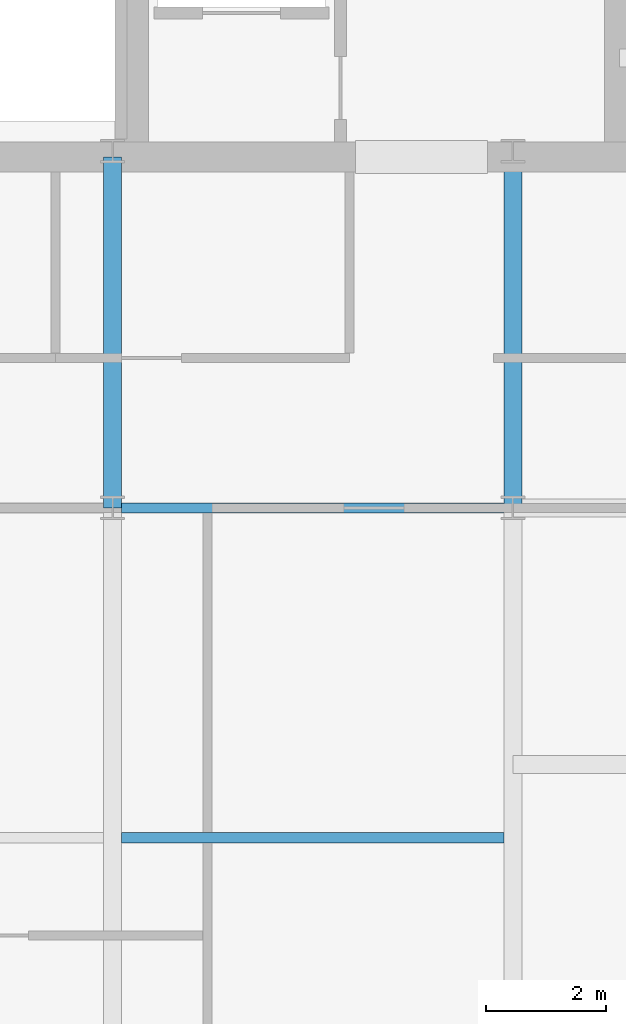
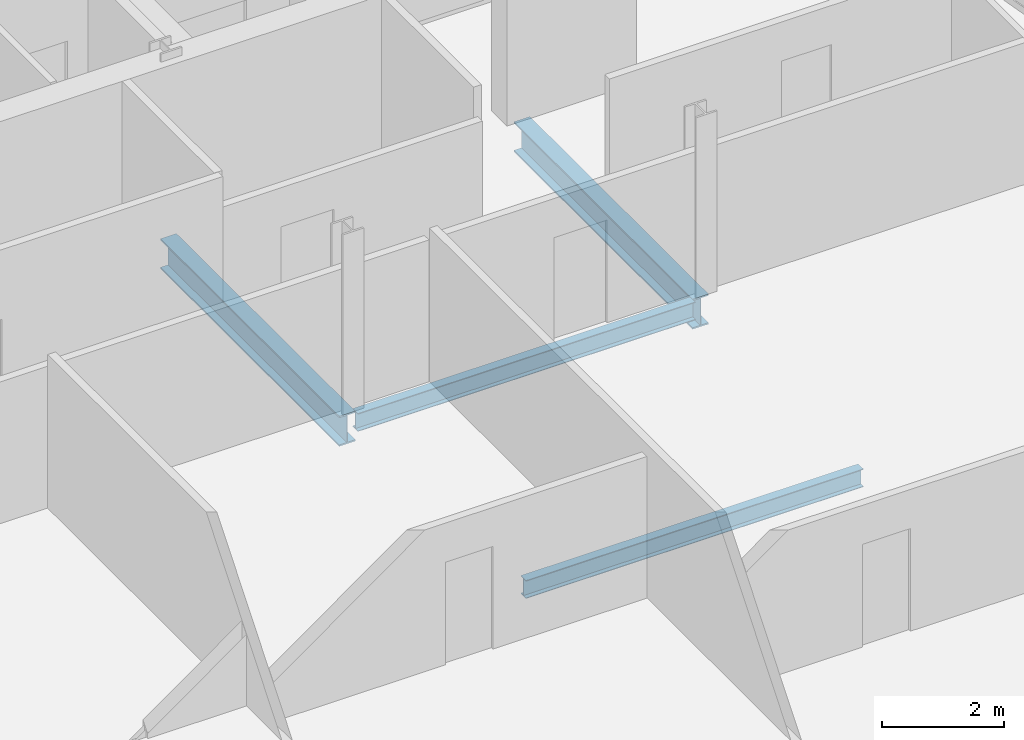
# One storey, part 18 of 31: 4 beams.
"""IFC4 building model written with IfcOpenShell, lengths in metres."""

from ifc_helpers import new_model, si_unit, direction, frame, origin, origin_2d, place, context, subcontext, project, spatial, i_section, extrude, material, material_profile, profile_set, type_object, element, save


model = new_model("IFC4")

# Units and contexts
model_context = context("Model", 3, precision=1e-05, world=origin(), true_north=direction((0.0, 1.0)))
body_context = subcontext(model_context, "Body", "Model", "MODEL_VIEW")
ifc_project = project(units=[si_unit("LENGTHUNIT", "METRE"), si_unit("AREAUNIT", "SQUARE_METRE"), si_unit("VOLUMEUNIT", "CUBIC_METRE"), si_unit("PLANEANGLEUNIT", "RADIAN"), si_unit("MASSUNIT", "GRAM", prefix="KILO")], contexts=[model_context])

# Site, building, storey
site_placement = place(None, origin())
site = spatial("IfcSite", under=ifc_project, at=site_placement, CompositionType="ELEMENT")
building_placement = place(site_placement, origin())
building = spatial("IfcBuilding", under=site, at=building_placement, Name="Khoronbel Lancet Exchange", CompositionType="ELEMENT")
storey_placement = place(building_placement, frame((0.0, 0.0, 325.39990234375)))
storey = spatial("IfcBuildingStorey", under=building, at=storey_placement, Name="L84", CompositionType="ELEMENT", Elevation=325.39990234375)

# Beams
ifc_material = material(Name="Steel S355", Category="steel")
ifc_material_profile_1 = material_profile(ifc_material, i_section(OverallWidth=0.300048828125, OverallDepth=0.60009765625, WebThickness=0.015380859375, FlangeThickness=0.030029296875, at=origin_2d()), Name="HEB 600")
ifc_profile_set_1 = profile_set([ifc_material_profile_1], Name="Steel S355")
beam_type_1 = type_object("IfcBeamType", Name="BM-BG5", PredefinedType="BEAM", material=ifc_profile_set_1)
for number, where, z_axis, x_axis, name in (
    (1, (48.0, 35.699951171875, -0.4599609375), (0.0, 1.0, 0.0), (-1.0, 0.0, 0.0), "Level L84 spine tie girder GN5"),
    (2, (54.675048828125, 35.699951171875, -0.4599609375), (0.0, 1.0, 0.0), (-1.0, 0.0, 0.0), "Level L84 spine tie girder GN6"),
):
    element("IfcBeam", number, at=place(storey_placement, frame(where, z_axis=z_axis, x_axis=x_axis)), inside=storey, type_object=beam_type_1, Name=name, PredefinedType="BEAM", context=body_context, shape_type="SweptSolid", body=[
        extrude(i_section(OverallWidth=0.300048828125, OverallDepth=0.60009765625, WebThickness=0.015380859375, FlangeThickness=0.030029296875, at=origin_2d()), origin(), (0.0, 0.0, 1.0), 5.85009765625),
    ])
ifc_material_profile_2 = material_profile(ifc_material, i_section(OverallWidth=0.169921875, OverallDepth=0.360107421875, WebThickness=0.008056640625, FlangeThickness=0.0126953125, at=origin_2d()), Name="IPE 360")
ifc_profile_set_2 = profile_set([ifc_material_profile_2], Name="Steel S355")
beam_type_2 = type_object("IfcBeamType", Name="BM-BJ6", PredefinedType="JOIST", material=ifc_profile_set_2)
for number, where, z_axis, x_axis, name in (
    (3, (48.14990234375, 30.199951171875, -0.33984375), (1.0, 0.0, 0.0), (0.0, 1.0, 0.0), "Level L84 secondary composite joist J09"),
    (4, (48.14990234375, 35.699951171875, -0.33984375), (1.0, 0.0, 0.0), (0.0, 1.0, 0.0), "Level L84 secondary composite joist J12"),
):
    element("IfcBeam", number, at=place(storey_placement, frame(where, z_axis=z_axis, x_axis=x_axis)), inside=storey, type_object=beam_type_2, Name=name, PredefinedType="JOIST", context=body_context, shape_type="SweptSolid", body=[
        extrude(i_section(OverallWidth=0.169921875, OverallDepth=0.360107421875, WebThickness=0.008056640625, FlangeThickness=0.0126953125, at=origin_2d()), origin(), (0.0, 0.0, 1.0), 6.375),
    ])

save(model, "model.ifc")
